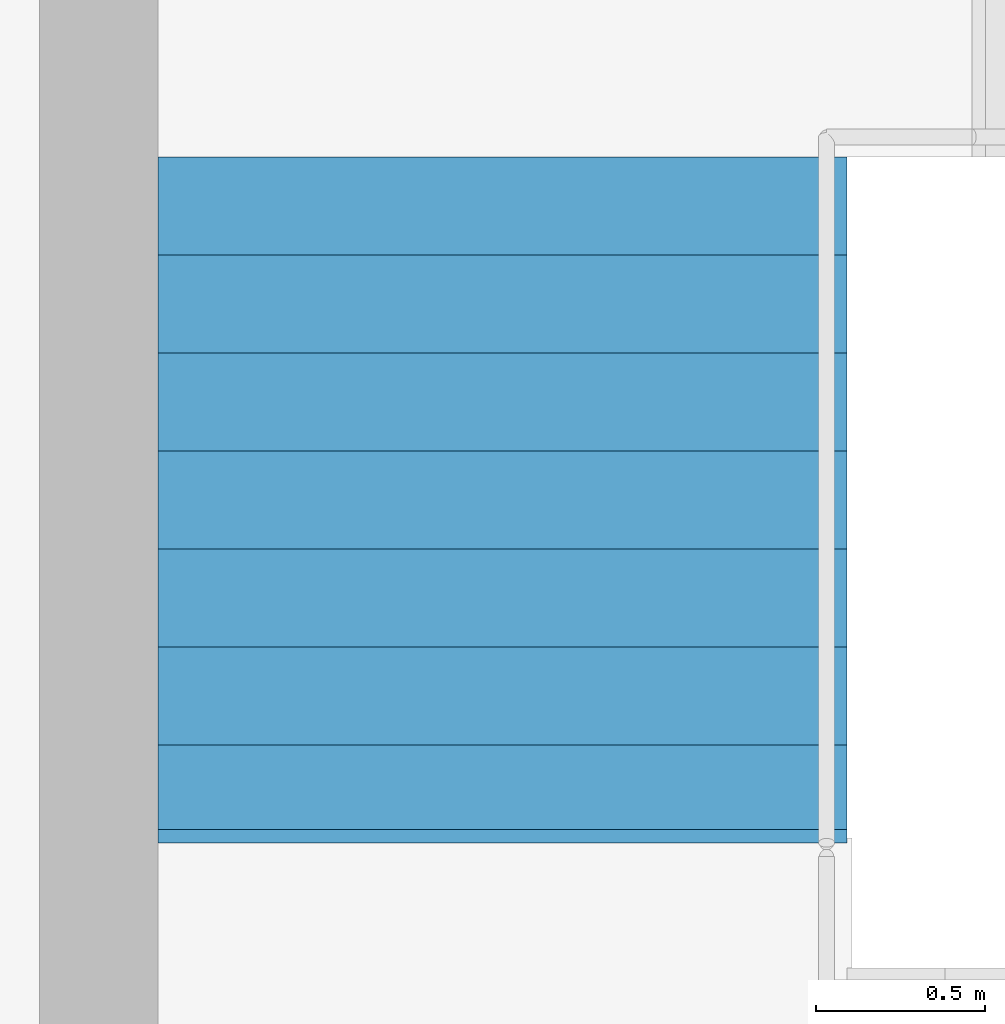
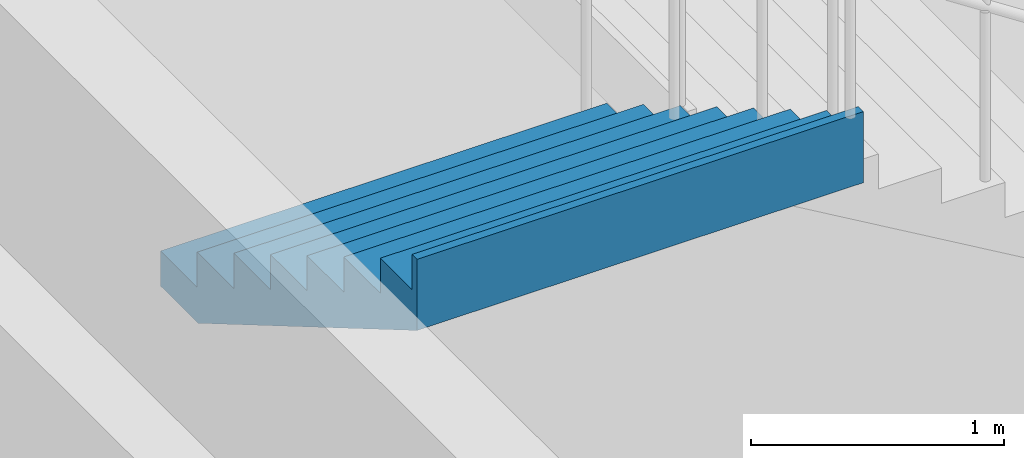
# One storey, part 49 of 72: 1 stair flight, 1 element without a shape of its own.
"""IFC4 building model written with IfcOpenShell, lengths in metres."""

from ifc_helpers import new_model, si_unit, direction, frame, origin, place, context, subcontext, project, spatial, triangles, material, type_object, element, aggregate, save


model = new_model("IFC4")

# Units and contexts
model_context = context("Model", 3, precision=1e-05, world=origin(), true_north=direction((0.0, 1.0)))
body_context = subcontext(model_context, "Body", "Model", "MODEL_VIEW")
ifc_project = project(units=[si_unit("LENGTHUNIT", "METRE"), si_unit("AREAUNIT", "SQUARE_METRE"), si_unit("VOLUMEUNIT", "CUBIC_METRE"), si_unit("PLANEANGLEUNIT", "RADIAN"), si_unit("MASSUNIT", "GRAM", prefix="KILO")], contexts=[model_context])

# Site, building, storey
site_placement = place(None, origin())
site = spatial("IfcSite", under=ifc_project, at=site_placement, CompositionType="ELEMENT")
building_placement = place(site_placement, origin())
building = spatial("IfcBuilding", under=site, at=building_placement, Name="Sillaruma Civic Art Gallery", CompositionType="ELEMENT")
storey_placement = place(building_placement, frame((0.0, 0.0, 10.8798828125)))
storey = spatial("IfcBuildingStorey", under=building, at=storey_placement, Name="L02", CompositionType="ELEMENT", Elevation=10.8798828125)

# Stair, stair flight
ifc_material = material(Name="Concrete H35 (35 MPa)", Category="concrete")
stair_type = type_object("IfcStairType", Name="STR-4F-32", PredefinedType="USERDEFINED", material=ifc_material)
stair_placement = place(storey_placement, origin())
stair = element("IfcStair", 1, at=stair_placement, inside=storey, type_object=stair_type, Name="Protected Exit Stair ST-03 (West Bar South) (L02)", ObjectType="THREE_RETURN_STAIR", PredefinedType="USERDEFINED")
stair_flight_type = type_object("IfcStairFlightType", Name="SFL-STR-8", PredefinedType="STRAIGHT", material=ifc_material)
stair_flight_placement = place(storey_placement, frame((63.780029296875, 35.85009765625, 4.080078125), z_axis=(0.0, 0.0, 1.0), x_axis=(0.0, -1.0, 0.0)))
stair_flight = element("IfcStairFlight", 2, at=stair_flight_placement, type_object=stair_flight_type, Name="ST-03 flight 4", NumberOfRisers=8, NumberOfTreads=7, PredefinedType="STRAIGHT", RiserHeight=0.17, TreadLength=0.29, context=body_context, shape_type="Tessellation", body=[
    triangles([(0.0, -1.02001953125, 0.0), (0.29, -1.02001953125, 0.0), (0.296443, -1.02001953125, 0.0), (0.58, -1.02001953125, 0.166223), (0.87, -1.02001953125, 0.336223), (1.16, -1.02001953125, 0.506223), (1.45, -1.02001953125, 0.676223), (1.74, -1.02001953125, 0.846223), (1.990029, -1.02001953125, 0.992792), (2.030029, -1.02001953125, 1.01624), (2.030029, -1.02001953125, 1.36), (1.990029, -1.02001953125, 1.36), (1.990029, -1.02001953125, 1.19), (1.74, -1.02001953125, 1.19), (1.74, -1.02001953125, 1.02), (1.45, -1.02001953125, 1.02), (1.45, -1.02001953125, 0.85), (1.16, -1.02001953125, 0.85), (1.16, -1.02001953125, 0.68), (0.87, -1.02001953125, 0.68), (0.87, -1.02001953125, 0.51), (0.58, -1.02001953125, 0.51), (0.58, -1.02001953125, 0.34), (0.296443, -1.02001953125, 0.34), (0.29, -1.02001953125, 0.34), (0.29, -1.02001953125, 0.17), (0.0, -1.02001953125, 0.17), (0.0, -0.05, 0.0), (0.29, -0.05, 0.0), (0.296443, -0.05, 0.0), (0.58, -0.05, 0.166223), (0.87, -0.05, 0.336223), (1.16, -0.05, 0.506223), (1.45, -0.05, 0.676223), (1.74, -0.05, 0.846223), (1.990029, -0.05, 0.992792), (2.030029, -0.05, 1.01624), (2.030029, -0.05, 1.36), (1.990029, -0.05, 1.36), (1.990029, -0.05, 1.19), (1.74, -0.05, 1.19), (1.74, -0.05, 1.02), (1.45, -0.05, 1.02), (1.45, -0.05, 0.85), (1.16, -0.05, 0.85), (1.16, -0.05, 0.68), (0.87, -0.05, 0.68), (0.87, -0.05, 0.51), (0.58, -0.05, 0.51), (0.58, -0.05, 0.34), (0.296443, -0.05, 0.34), (0.29, -0.05, 0.34), (0.29, -0.05, 0.17), (0.0, -0.05, 0.17), (0.0, -0.0375, 0.0), (0.29, -0.0375, 0.0), (0.296443, -0.0375, 0.0), (0.58, -0.0375, 0.166223), (0.87, -0.0375, 0.336223), (1.16, -0.0375, 0.506223), (1.45, -0.0375, 0.676223), (1.74, -0.0375, 0.846223), (1.990029, -0.0375, 0.992792), (2.030029, -0.0375, 1.01624), (2.030029, -0.0375, 1.36), (1.990029, -0.0375, 1.36), (1.990029, -0.0375, 1.19), (1.74, -0.0375, 1.19), (1.74, -0.0375, 1.02), (1.45, -0.0375, 1.02), (1.45, -0.0375, 0.85), (1.16, -0.0375, 0.85), (1.16, -0.0375, 0.68), (0.87, -0.0375, 0.68), (0.87, -0.0375, 0.51), (0.58, -0.0375, 0.51), (0.58, -0.0375, 0.34), (0.296443, -0.0375, 0.34), (0.29, -0.0375, 0.34), (0.29, -0.0375, 0.17), (0.0, -0.0375, 0.17), (0.0, -0.025, 0.0), (0.29, -0.025, 0.0), (0.296443, -0.025, 0.0), (0.58, -0.025, 0.166223), (0.87, -0.025, 0.336223), (1.16, -0.025, 0.506223), (1.45, -0.025, 0.676223), (1.74, -0.025, 0.846223), (1.990029, -0.025, 0.992792), (2.030029, -0.025, 1.01624), (2.030029, -0.025, 1.36), (1.990029, -0.025, 1.36), (1.990029, -0.025, 1.19), (1.74, -0.025, 1.19), (1.74, -0.025, 1.02), (1.45, -0.025, 1.02), (1.45, -0.025, 0.85), (1.16, -0.025, 0.85), (1.16, -0.025, 0.68), (0.87, -0.025, 0.68), (0.87, -0.025, 0.51), (0.58, -0.025, 0.51), (0.58, -0.025, 0.34), (0.296443, -0.025, 0.34), (0.29, -0.025, 0.34), (0.29, -0.025, 0.17), (0.0, -0.025, 0.17), (0.0, -0.0125, 0.0), (0.29, -0.0125, 0.0), (0.296443, -0.0125, 0.0), (0.58, -0.0125, 0.166223), (0.87, -0.0125, 0.336223), (1.16, -0.0125, 0.506223), (1.45, -0.0125, 0.676223), (1.74, -0.0125, 0.846223), (1.990029, -0.0125, 0.992792), (2.030029, -0.0125, 1.01624), (2.030029, -0.0125, 1.36), (1.990029, -0.0125, 1.36), (1.990029, -0.0125, 1.19), (1.74, -0.0125, 1.19), (1.74, -0.0125, 1.02), (1.45, -0.0125, 1.02), (1.45, -0.0125, 0.85), (1.16, -0.0125, 0.85), (1.16, -0.0125, 0.68), (0.87, -0.0125, 0.68), (0.87, -0.0125, 0.51), (0.58, -0.0125, 0.51), (0.58, -0.0125, 0.34), (0.296443, -0.0125, 0.34), (0.29, -0.0125, 0.34), (0.29, -0.0125, 0.17), (0.0, -0.0125, 0.17), (0.0, 0.0, 0.0), (0.29, 0.0, 0.0), (0.296443, 0.0, 0.0), (0.58, 0.0, 0.166223), (0.87, 0.0, 0.336223), (1.16, 0.0, 0.506223), (1.45, 0.0, 0.676223), (1.74, 0.0, 0.846223), (1.990029, 0.0, 0.992792), (2.030029, 0.0, 1.01624), (2.030029, 0.0, 1.36), (1.990029, 0.0, 1.36), (1.990029, 0.0, 1.19), (1.74, 0.0, 1.19), (1.74, 0.0, 1.02), (1.45, 0.0, 1.02), (1.45, 0.0, 0.85), (1.16, 0.0, 0.85), (1.16, 0.0, 0.68), (0.87, 0.0, 0.68), (0.87, 0.0, 0.51), (0.58, 0.0, 0.51), (0.58, 0.0, 0.34), (0.296443, 0.0, 0.34), (0.29, 0.0, 0.34), (0.29, 0.0, 0.17), (0.0, 0.0, 0.17), (0.0, 0.0125, 0.0), (0.29, 0.0125, 0.0), (0.296443, 0.0125, 0.0), (0.58, 0.0125, 0.166223), (0.87, 0.0125, 0.336223), (1.16, 0.0125, 0.506223), (1.45, 0.0125, 0.676223), (1.74, 0.0125, 0.846223), (1.990029, 0.0125, 0.992792), (2.030029, 0.0125, 1.01624), (2.030029, 0.0125, 1.36), (1.990029, 0.0125, 1.36), (1.990029, 0.0125, 1.19), (1.74, 0.0125, 1.19), (1.74, 0.0125, 1.02), (1.45, 0.0125, 1.02), (1.45, 0.0125, 0.85), (1.16, 0.0125, 0.85), (1.16, 0.0125, 0.68), (0.87, 0.0125, 0.68), (0.87, 0.0125, 0.51), (0.58, 0.0125, 0.51), (0.58, 0.0125, 0.34), (0.296443, 0.0125, 0.34), (0.29, 0.0125, 0.34), (0.29, 0.0125, 0.17), (0.0, 0.0125, 0.17), (0.0, 0.025, 0.0), (0.29, 0.025, 0.0), (0.296443, 0.025, 0.0), (0.58, 0.025, 0.166223), (0.87, 0.025, 0.336223), (1.16, 0.025, 0.506223), (1.45, 0.025, 0.676223), (1.74, 0.025, 0.846223), (1.990029, 0.025, 0.992792), (2.030029, 0.025, 1.01624), (2.030029, 0.025, 1.36), (1.990029, 0.025, 1.36), (1.990029, 0.025, 1.19), (1.74, 0.025, 1.19), (1.74, 0.025, 1.02), (1.45, 0.025, 1.02), (1.45, 0.025, 0.85), (1.16, 0.025, 0.85), (1.16, 0.025, 0.68), (0.87, 0.025, 0.68), (0.87, 0.025, 0.51), (0.58, 0.025, 0.51), (0.58, 0.025, 0.34), (0.296443, 0.025, 0.34), (0.29, 0.025, 0.34), (0.29, 0.025, 0.17), (0.0, 0.025, 0.17), (0.0, 0.0375, 0.0), (0.29, 0.0375, 0.0), (0.296443, 0.0375, 0.0), (0.58, 0.0375, 0.166223), (0.87, 0.0375, 0.336223), (1.16, 0.0375, 0.506223), (1.45, 0.0375, 0.676223), (1.74, 0.0375, 0.846223), (1.990029, 0.0375, 0.992792), (2.030029, 0.0375, 1.01624), (2.030029, 0.0375, 1.36), (1.990029, 0.0375, 1.36), (1.990029, 0.0375, 1.19), (1.74, 0.0375, 1.19), (1.74, 0.0375, 1.02), (1.45, 0.0375, 1.02), (1.45, 0.0375, 0.85), (1.16, 0.0375, 0.85), (1.16, 0.0375, 0.68), (0.87, 0.0375, 0.68), (0.87, 0.0375, 0.51), (0.58, 0.0375, 0.51), (0.58, 0.0375, 0.34), (0.296443, 0.0375, 0.34), (0.29, 0.0375, 0.34), (0.29, 0.0375, 0.17), (0.0, 0.0375, 0.17), (0.0, 0.05, 0.0), (0.29, 0.05, 0.0), (0.296443, 0.05, 0.0), (0.58, 0.05, 0.166223), (0.87, 0.05, 0.336223), (1.16, 0.05, 0.506223), (1.45, 0.05, 0.676223), (1.74, 0.05, 0.846223), (1.990029, 0.05, 0.992792), (2.030029, 0.05, 1.01624), (2.030029, 0.05, 1.36), (1.990029, 0.05, 1.36), (1.990029, 0.05, 1.19), (1.74, 0.05, 1.19), (1.74, 0.05, 1.02), (1.45, 0.05, 1.02), (1.45, 0.05, 0.85), (1.16, 0.05, 0.85), (1.16, 0.05, 0.68), (0.87, 0.05, 0.68), (0.87, 0.05, 0.51), (0.58, 0.05, 0.51), (0.58, 0.05, 0.34), (0.296443, 0.05, 0.34), (0.29, 0.05, 0.34), (0.29, 0.05, 0.17), (0.0, 0.05, 0.17), (0.0, 1.02001953125, 0.0), (0.29, 1.02001953125, 0.0), (0.296443, 1.02001953125, 0.0), (0.58, 1.02001953125, 0.166223), (0.87, 1.02001953125, 0.336223), (1.16, 1.02001953125, 0.506223), (1.45, 1.02001953125, 0.676223), (1.74, 1.02001953125, 0.846223), (1.990029, 1.02001953125, 0.992792), (2.030029, 1.02001953125, 1.01624), (2.030029, 1.02001953125, 1.36), (1.990029, 1.02001953125, 1.36), (1.990029, 1.02001953125, 1.19), (1.74, 1.02001953125, 1.19), (1.74, 1.02001953125, 1.02), (1.45, 1.02001953125, 1.02), (1.45, 1.02001953125, 0.85), (1.16, 1.02001953125, 0.85), (1.16, 1.02001953125, 0.68), (0.87, 1.02001953125, 0.68), (0.87, 1.02001953125, 0.51), (0.58, 1.02001953125, 0.51), (0.58, 1.02001953125, 0.34), (0.296443, 1.02001953125, 0.34), (0.29, 1.02001953125, 0.34), (0.29, 1.02001953125, 0.17), (0.0, 1.02001953125, 0.17)], [[1, 2, 26], [1, 26, 27], [2, 3, 24], [2, 24, 26], [26, 24, 25], [3, 4, 23], [3, 23, 24], [4, 5, 21], [4, 21, 23], [23, 21, 22], [5, 6, 19], [5, 19, 21], [21, 19, 20], [6, 7, 17], [6, 17, 19], [19, 17, 18], [7, 8, 15], [7, 15, 17], [17, 15, 16], [8, 9, 13], [8, 13, 15], [15, 13, 14], [9, 10, 11], [9, 11, 13], [13, 11, 12], [296, 272, 271], [297, 296, 271], [294, 273, 272], [296, 294, 272], [295, 294, 296], [293, 274, 273], [294, 293, 273], [291, 275, 274], [293, 291, 274], [292, 291, 293], [289, 276, 275], [291, 289, 275], [290, 289, 291], [287, 277, 276], [289, 287, 276], [288, 287, 289], [285, 278, 277], [287, 285, 277], [286, 285, 287], [283, 279, 278], [285, 283, 278], [284, 283, 285], [281, 280, 279], [283, 281, 279], [282, 281, 283], [2, 1, 28], [2, 28, 29], [3, 2, 29], [3, 29, 30], [4, 3, 30], [4, 30, 31], [5, 4, 31], [5, 31, 32], [6, 5, 32], [6, 32, 33], [7, 6, 33], [7, 33, 34], [8, 7, 34], [8, 34, 35], [9, 8, 35], [9, 35, 36], [10, 9, 36], [10, 36, 37], [11, 10, 37], [11, 37, 38], [12, 11, 38], [12, 38, 39], [13, 12, 39], [13, 39, 40], [14, 13, 40], [14, 40, 41], [15, 14, 41], [15, 41, 42], [16, 15, 42], [16, 42, 43], [17, 16, 43], [17, 43, 44], [18, 17, 44], [18, 44, 45], [19, 18, 45], [19, 45, 46], [20, 19, 46], [20, 46, 47], [21, 20, 47], [21, 47, 48], [22, 21, 48], [22, 48, 49], [23, 22, 49], [23, 49, 50], [24, 23, 50], [24, 50, 51], [25, 24, 51], [25, 51, 52], [26, 25, 52], [26, 52, 53], [27, 26, 53], [27, 53, 54], [1, 27, 54], [1, 54, 28], [29, 28, 55], [29, 55, 56], [30, 29, 56], [30, 56, 57], [31, 30, 57], [31, 57, 58], [32, 31, 58], [32, 58, 59], [33, 32, 59], [33, 59, 60], [34, 33, 60], [34, 60, 61], [35, 34, 61], [35, 61, 62], [36, 35, 62], [36, 62, 63], [37, 36, 63], [37, 63, 64], [38, 37, 64], [38, 64, 65], [39, 38, 65], [39, 65, 66], [40, 39, 66], [40, 66, 67], [41, 40, 67], [41, 67, 68], [42, 41, 68], [42, 68, 69], [43, 42, 69], [43, 69, 70], [44, 43, 70], [44, 70, 71], [45, 44, 71], [45, 71, 72], [46, 45, 72], [46, 72, 73], [47, 46, 73], [47, 73, 74], [48, 47, 74], [48, 74, 75], [49, 48, 75], [49, 75, 76], [50, 49, 76], [50, 76, 77], [51, 50, 77], [51, 77, 78], [52, 51, 78], [52, 78, 79], [53, 52, 79], [53, 79, 80], [54, 53, 80], [54, 80, 81], [28, 54, 81], [28, 81, 55], [56, 55, 82], [56, 82, 83], [57, 56, 83], [57, 83, 84], [58, 57, 84], [58, 84, 85], [59, 58, 85], [59, 85, 86], [60, 59, 86], [60, 86, 87], [61, 60, 87], [61, 87, 88], [62, 61, 88], [62, 88, 89], [63, 62, 89], [63, 89, 90], [64, 63, 90], [64, 90, 91], [65, 64, 91], [65, 91, 92], [66, 65, 92], [66, 92, 93], [67, 66, 93], [67, 93, 94], [68, 67, 94], [68, 94, 95], [69, 68, 95], [69, 95, 96], [70, 69, 96], [70, 96, 97], [71, 70, 97], [71, 97, 98], [72, 71, 98], [72, 98, 99], [73, 72, 99], [73, 99, 100], [74, 73, 100], [74, 100, 101], [75, 74, 101], [75, 101, 102], [76, 75, 102], [76, 102, 103], [77, 76, 103], [77, 103, 104], [78, 77, 104], [78, 104, 105], [79, 78, 105], [79, 105, 106], [80, 79, 106], [80, 106, 107], [81, 80, 107], [81, 107, 108], [55, 81, 108], [55, 108, 82], [83, 82, 109], [83, 109, 110], [84, 83, 110], [84, 110, 111], [85, 84, 111], [85, 111, 112], [86, 85, 112], [86, 112, 113], [87, 86, 113], [87, 113, 114], [88, 87, 114], [88, 114, 115], [89, 88, 115], [89, 115, 116], [90, 89, 116], [90, 116, 117], [91, 90, 117], [91, 117, 118], [92, 91, 118], [92, 118, 119], [93, 92, 119], [93, 119, 120], [94, 93, 120], [94, 120, 121], [95, 94, 121], [95, 121, 122], [96, 95, 122], [96, 122, 123], [97, 96, 123], [97, 123, 124], [98, 97, 124], [98, 124, 125], [99, 98, 125], [99, 125, 126], [100, 99, 126], [100, 126, 127], [101, 100, 127], [101, 127, 128], [102, 101, 128], [102, 128, 129], [103, 102, 129], [103, 129, 130], [104, 103, 130], [104, 130, 131], [105, 104, 131], [105, 131, 132], [106, 105, 132], [106, 132, 133], [107, 106, 133], [107, 133, 134], [108, 107, 134], [108, 134, 135], [82, 108, 135], [82, 135, 109], [110, 109, 136], [110, 136, 137], [111, 110, 137], [111, 137, 138], [112, 111, 138], [112, 138, 139], [113, 112, 139], [113, 139, 140], [114, 113, 140], [114, 140, 141], [115, 114, 141], [115, 141, 142], [116, 115, 142], [116, 142, 143], [117, 116, 143], [117, 143, 144], [118, 117, 144], [118, 144, 145], [119, 118, 145], [119, 145, 146], [120, 119, 146], [120, 146, 147], [121, 120, 147], [121, 147, 148], [122, 121, 148], [122, 148, 149], [123, 122, 149], [123, 149, 150], [124, 123, 150], [124, 150, 151], [125, 124, 151], [125, 151, 152], [126, 125, 152], [126, 152, 153], [127, 126, 153], [127, 153, 154], [128, 127, 154], [128, 154, 155], [129, 128, 155], [129, 155, 156], [130, 129, 156], [130, 156, 157], [131, 130, 157], [131, 157, 158], [132, 131, 158], [132, 158, 159], [133, 132, 159], [133, 159, 160], [134, 133, 160], [134, 160, 161], [135, 134, 161], [135, 161, 162], [109, 135, 162], [109, 162, 136], [137, 136, 163], [137, 163, 164], [138, 137, 164], [138, 164, 165], [139, 138, 165], [139, 165, 166], [140, 139, 166], [140, 166, 167], [141, 140, 167], [141, 167, 168], [142, 141, 168], [142, 168, 169], [143, 142, 169], [143, 169, 170], [144, 143, 170], [144, 170, 171], [145, 144, 171], [145, 171, 172], [146, 145, 172], [146, 172, 173], [147, 146, 173], [147, 173, 174], [148, 147, 174], [148, 174, 175], [149, 148, 175], [149, 175, 176], [150, 149, 176], [150, 176, 177], [151, 150, 177], [151, 177, 178], [152, 151, 178], [152, 178, 179], [153, 152, 179], [153, 179, 180], [154, 153, 180], [154, 180, 181], [155, 154, 181], [155, 181, 182], [156, 155, 182], [156, 182, 183], [157, 156, 183], [157, 183, 184], [158, 157, 184], [158, 184, 185], [159, 158, 185], [159, 185, 186], [160, 159, 186], [160, 186, 187], [161, 160, 187], [161, 187, 188], [162, 161, 188], [162, 188, 189], [136, 162, 189], [136, 189, 163], [164, 163, 190], [164, 190, 191], [165, 164, 191], [165, 191, 192], [166, 165, 192], [166, 192, 193], [167, 166, 193], [167, 193, 194], [168, 167, 194], [168, 194, 195], [169, 168, 195], [169, 195, 196], [170, 169, 196], [170, 196, 197], [171, 170, 197], [171, 197, 198], [172, 171, 198], [172, 198, 199], [173, 172, 199], [173, 199, 200], [174, 173, 200], [174, 200, 201], [175, 174, 201], [175, 201, 202], [176, 175, 202], [176, 202, 203], [177, 176, 203], [177, 203, 204], [178, 177, 204], [178, 204, 205], [179, 178, 205], [179, 205, 206], [180, 179, 206], [180, 206, 207], [181, 180, 207], [181, 207, 208], [182, 181, 208], [182, 208, 209], [183, 182, 209], [183, 209, 210], [184, 183, 210], [184, 210, 211], [185, 184, 211], [185, 211, 212], [186, 185, 212], [186, 212, 213], [187, 186, 213], [187, 213, 214], [188, 187, 214], [188, 214, 215], [189, 188, 215], [189, 215, 216], [163, 189, 216], [163, 216, 190], [191, 190, 217], [191, 217, 218], [192, 191, 218], [192, 218, 219], [193, 192, 219], [193, 219, 220], [194, 193, 220], [194, 220, 221], [195, 194, 221], [195, 221, 222], [196, 195, 222], [196, 222, 223], [197, 196, 223], [197, 223, 224], [198, 197, 224], [198, 224, 225], [199, 198, 225], [199, 225, 226], [200, 199, 226], [200, 226, 227], [201, 200, 227], [201, 227, 228], [202, 201, 228], [202, 228, 229], [203, 202, 229], [203, 229, 230], [204, 203, 230], [204, 230, 231], [205, 204, 231], [205, 231, 232], [206, 205, 232], [206, 232, 233], [207, 206, 233], [207, 233, 234], [208, 207, 234], [208, 234, 235], [209, 208, 235], [209, 235, 236], [210, 209, 236], [210, 236, 237], [211, 210, 237], [211, 237, 238], [212, 211, 238], [212, 238, 239], [213, 212, 239], [213, 239, 240], [214, 213, 240], [214, 240, 241], [215, 214, 241], [215, 241, 242], [216, 215, 242], [216, 242, 243], [190, 216, 243], [190, 243, 217], [218, 217, 244], [218, 244, 245], [219, 218, 245], [219, 245, 246], [220, 219, 246], [220, 246, 247], [221, 220, 247], [221, 247, 248], [222, 221, 248], [222, 248, 249], [223, 222, 249], [223, 249, 250], [224, 223, 250], [224, 250, 251], [225, 224, 251], [225, 251, 252], [226, 225, 252], [226, 252, 253], [227, 226, 253], [227, 253, 254], [228, 227, 254], [228, 254, 255], [229, 228, 255], [229, 255, 256], [230, 229, 256], [230, 256, 257], [231, 230, 257], [231, 257, 258], [232, 231, 258], [232, 258, 259], [233, 232, 259], [233, 259, 260], [234, 233, 260], [234, 260, 261], [235, 234, 261], [235, 261, 262], [236, 235, 262], [236, 262, 263], [237, 236, 263], [237, 263, 264], [238, 237, 264], [238, 264, 265], [239, 238, 265], [239, 265, 266], [240, 239, 266], [240, 266, 267], [241, 240, 267], [241, 267, 268], [242, 241, 268], [242, 268, 269], [243, 242, 269], [243, 269, 270], [217, 243, 270], [217, 270, 244], [245, 244, 271], [245, 271, 272], [246, 245, 272], [246, 272, 273], [247, 246, 273], [247, 273, 274], [248, 247, 274], [248, 274, 275], [249, 248, 275], [249, 275, 276], [250, 249, 276], [250, 276, 277], [251, 250, 277], [251, 277, 278], [252, 251, 278], [252, 278, 279], [253, 252, 279], [253, 279, 280], [254, 253, 280], [254, 280, 281], [255, 254, 281], [255, 281, 282], [256, 255, 282], [256, 282, 283], [257, 256, 283], [257, 283, 284], [258, 257, 284], [258, 284, 285], [259, 258, 285], [259, 285, 286], [260, 259, 286], [260, 286, 287], [261, 260, 287], [261, 287, 288], [262, 261, 288], [262, 288, 289], [263, 262, 289], [263, 289, 290], [264, 263, 290], [264, 290, 291], [265, 264, 291], [265, 291, 292], [266, 265, 292], [266, 292, 293], [267, 266, 293], [267, 293, 294], [268, 267, 294], [268, 294, 295], [269, 268, 295], [269, 295, 296], [270, 269, 296], [270, 296, 297], [244, 270, 297], [244, 297, 271]], closed=True),
])
aggregate(stair, [stair_flight])

save(model, "model.ifc")
